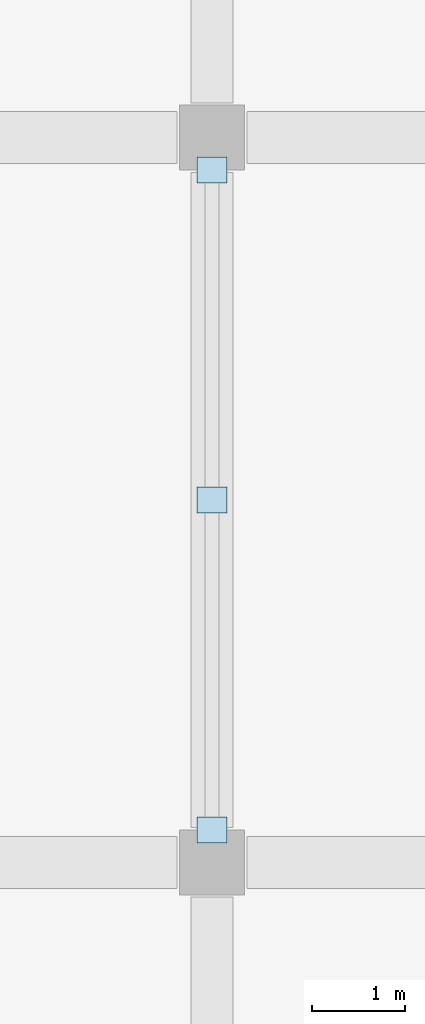
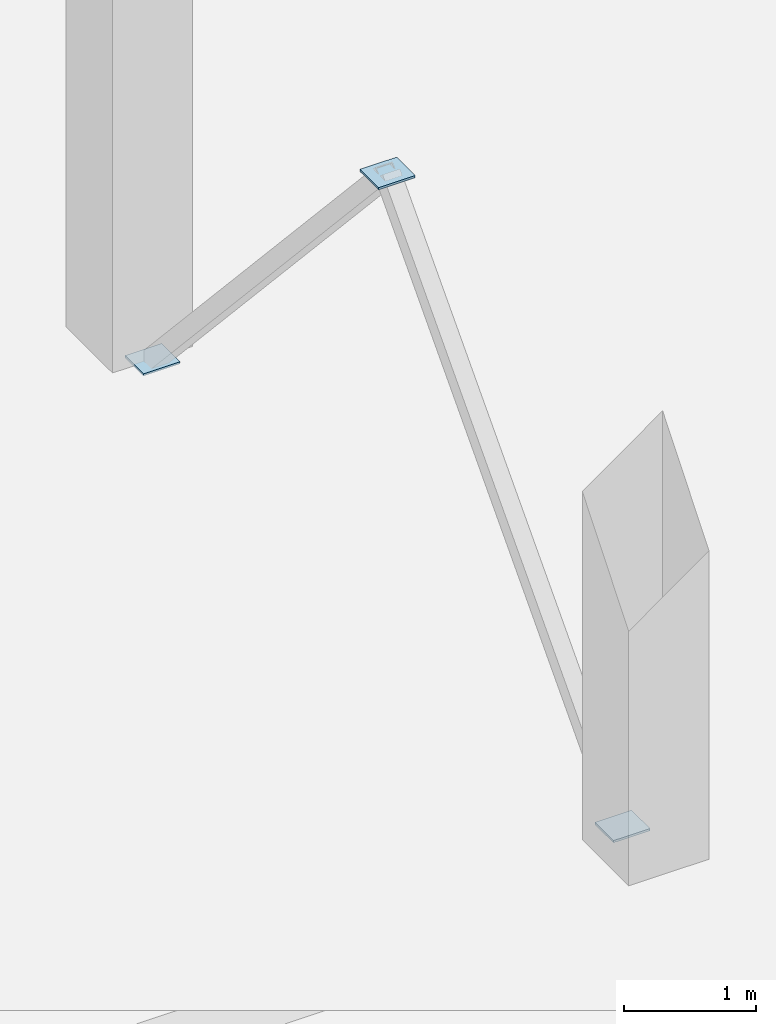
# One storey, part 79 of 91: 3 plates.
"""IFC4 building model written with IfcOpenShell, lengths in metres."""

from ifc_helpers import new_model, si_unit, direction, frame, origin, origin_2d, place, context, subcontext, project, spatial, rectangle, extrude, material, layer, layer_set, type_object, element, save


model = new_model("IFC4")

# Units and contexts
model_context = context("Model", 3, precision=1e-05, world=origin(), true_north=direction((0.0, 1.0)))
body_context = subcontext(model_context, "Body", "Model", "MODEL_VIEW")
ifc_project = project(units=[si_unit("LENGTHUNIT", "METRE"), si_unit("AREAUNIT", "SQUARE_METRE"), si_unit("VOLUMEUNIT", "CUBIC_METRE"), si_unit("PLANEANGLEUNIT", "RADIAN"), si_unit("MASSUNIT", "GRAM", prefix="KILO")], contexts=[model_context])

# Site, building, storey
site_placement = place(None, origin())
site = spatial("IfcSite", under=ifc_project, at=site_placement, CompositionType="ELEMENT")
building_placement = place(site_placement, origin())
building = spatial("IfcBuilding", under=site, at=building_placement, Name="Pellamere Symphony Hall", CompositionType="ELEMENT")
storey_placement = place(building_placement, frame((0.0, 0.0, 5.39990234375)))
storey = spatial("IfcBuildingStorey", under=building, at=storey_placement, Name="L01", CompositionType="ELEMENT", Elevation=5.39990234375)

# Plates
ifc_material = material(Name="Steel CSA G40.21 350W", Category="steel")
ifc_layer = layer(ifc_material, 0.02001953125, Name="Steel CSA G40.21 350W")
ifc_layer_set = layer_set([ifc_layer], Name="Steel CSA G40.21 350W")
plate_type = type_object("IfcPlateType", Name="Steel Connection Plate KP-06 320x280x20", PredefinedType="SHEET", material=ifc_layer_set)
for number, where, z_axis, x_axis, name in (
    (1, (164.39990234375, 54.35009765625, -0.010009765625), (0.0, 0.0, 1.0), (1.0, 0.0, 0.0), "Brace End Cap Plate 175"),
    (2, (164.39990234375, 61.449951171875, -0.010009765625), (0.0, 0.0, 1.0), (1.0, 0.0, 0.0), "Brace End Cap Plate 176"),
    (3, (164.39990234375, 57.89990234375, 3.860107421875), (0.0, 0.0, 1.0), (1.0, 0.0, 0.0), "Brace End Cap Plate 177"),
):
    element("IfcPlate", number, at=place(storey_placement, frame(where, z_axis=z_axis, x_axis=x_axis)), inside=storey, type_object=plate_type, Name=name, PredefinedType="SHEET", context=body_context, shape_type="SweptSolid", body=[
        extrude(rectangle(XDim=0.320068359375, YDim=0.280029296875, at=origin_2d()), origin(), (0.0, 0.0, 1.0), 0.02001953125),
    ])

save(model, "model.ifc")
